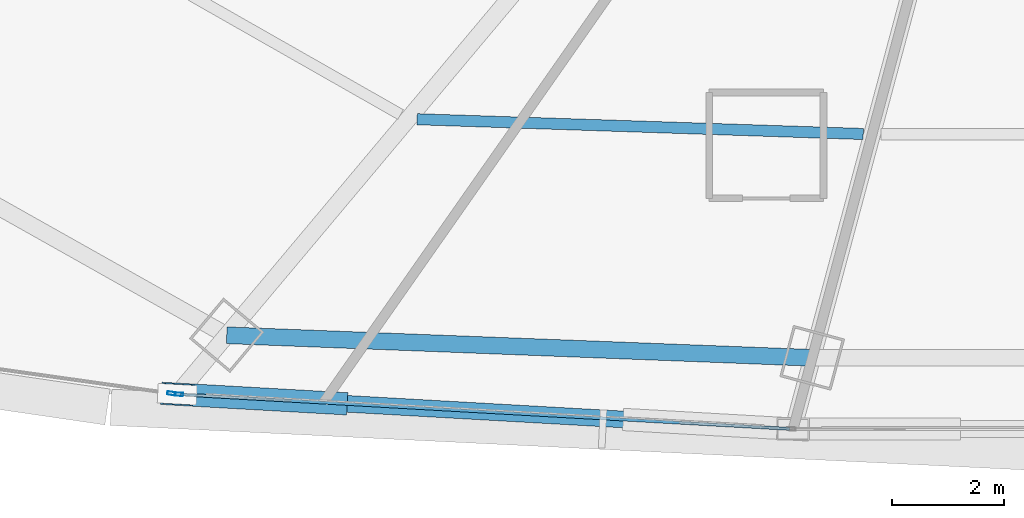
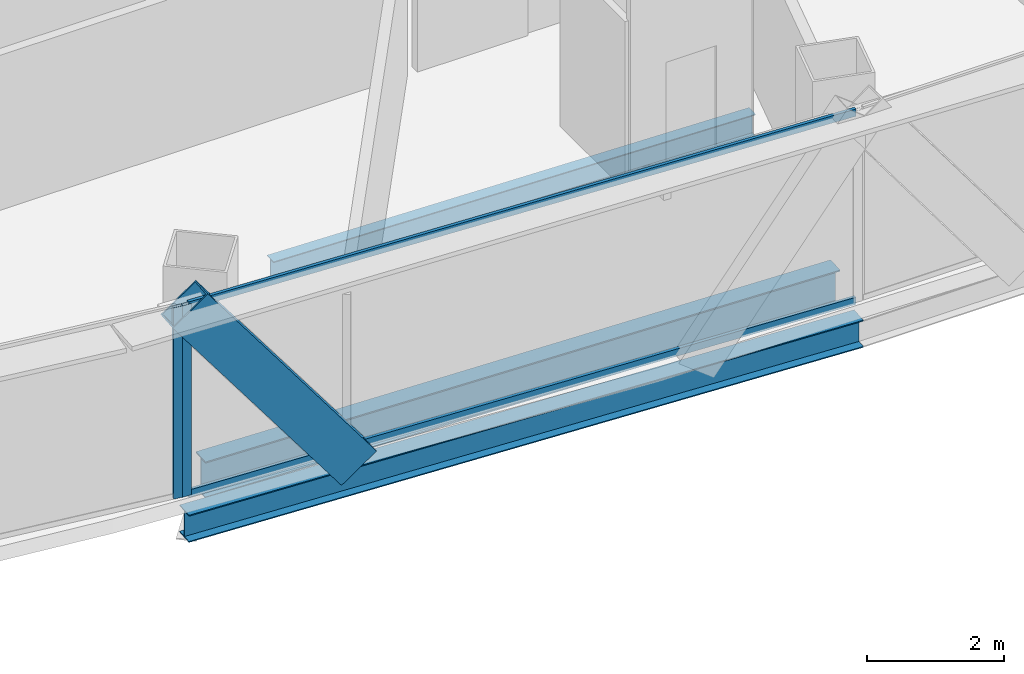
# One storey, part 6 of 41: 5 members, 3 beams, 2 elements without a shape of their own.
"""IFC4 building model written with IfcOpenShell, lengths in metres."""

from ifc_helpers import new_model, si_unit, direction, frame, origin, origin_2d, place, context, subcontext, project, spatial, hollow_rectangle, i_section, extrude, source, transform, mapped, material, layer, layer_set, material_profile, profile_set, type_object, element, aggregate, save


model = new_model("IFC4")

# Units and contexts
model_context = context("Model", 3, precision=1e-05, world=origin(), true_north=direction((0.0, 1.0)))
body_context = subcontext(model_context, "Body", "Model", "MODEL_VIEW")
ifc_project = project(units=[si_unit("LENGTHUNIT", "METRE"), si_unit("AREAUNIT", "SQUARE_METRE"), si_unit("VOLUMEUNIT", "CUBIC_METRE"), si_unit("PLANEANGLEUNIT", "RADIAN"), si_unit("MASSUNIT", "GRAM", prefix="KILO"), si_unit("THERMODYNAMICTEMPERATUREUNIT", "KELVIN"), si_unit("POWERUNIT", "WATT")], contexts=[model_context])

# Site, building, storey
site_placement = place(None, origin())
site = spatial("IfcSite", under=ifc_project, at=site_placement, CompositionType="ELEMENT")
building_placement = place(site_placement, origin())
building = spatial("IfcBuilding", under=site, at=building_placement, Name="Yunzhuo Pagoda Commons", CompositionType="ELEMENT")
storey_placement = place(building_placement, frame((0.0, 0.0, 155.590087890625)))
storey = spatial("IfcBuildingStorey", under=building, at=storey_placement, Name="L39", CompositionType="ELEMENT", Elevation=155.590087890625)

# Beams
ifc_material_1 = material(Name="Structural steel Q355B", Category="steel")
ifc_material_profile_1 = material_profile(ifc_material_1, i_section(OverallWidth=0.300048828125, OverallDepth=0.64990234375, WebThickness=0.012939453125, FlangeThickness=0.02197265625, at=origin_2d()), Name="Structural steel Q355B")
ifc_profile_set_1 = profile_set([ifc_material_profile_1], Name="Structural steel Q355B")
beam_type_1 = type_object("IfcBeamType", Name="B-RG2 Beam HN 650x300x13x22", PredefinedType="BEAM", material=ifc_profile_set_1)
shared_shape_1 = source(origin(), body_context, "Body", "SweptSolid", [
    extrude(i_section(OverallWidth=0.300048828125, OverallDepth=0.64990234375, WebThickness=0.012939453125, FlangeThickness=0.02197265625, at=origin_2d()), origin(), (0.0, 0.0, 1.0), 10.5078125),
])
beam_1_placement = place(storey_placement, frame((32.414794921875, 15.126220703125, -0.585205078125), z_axis=(0.999258632812, -0.03849915259, 0.0), x_axis=(0.03849915259, 0.999258632812, 0.0)))
element("IfcBeam", 1, at=beam_1_placement, inside=storey, type_object=beam_type_1, Name="L39 column-ring beam 1", PredefinedType="BEAM", context=body_context, shape_type="MappedRepresentation", body=[
    mapped(shared_shape_1, transform((0.0, 0.0, 0.0), scale=1.0)),
])
ifc_material_profile_2 = material_profile(ifc_material_1, i_section(OverallWidth=0.199951171875, OverallDepth=0.39990234375, WebThickness=0.008056640625, FlangeThickness=0.012939453125, at=origin_2d()), Name="Structural steel Q355B")
ifc_profile_set_2 = profile_set([ifc_material_profile_2], Name="Structural steel Q355B")
beam_type_2 = type_object("IfcBeamType", Name="B-JS1 Joist HN 400x200x8x13", PredefinedType="JOIST", material=ifc_profile_set_2)
shared_shape_2 = source(origin(), body_context, "Body", "SweptSolid", [
    extrude(i_section(OverallWidth=0.199951171875, OverallDepth=0.39990234375, WebThickness=0.008056640625, FlangeThickness=0.012939453125, at=origin_2d()), origin(), (0.0, 0.0, 1.0), 8.00537109375),
])
beam_2_placement = place(storey_placement, frame((35.8291015625, 19.00048828125, -0.460205078125), z_axis=(0.999453403952, -0.033058937199, 0.0), x_axis=(0.033058937199, 0.999453403952, 0.0)))
element("IfcBeam", 2, at=beam_2_placement, inside=storey, type_object=beam_type_2, Name="L39 composite ring joist 2.1", PredefinedType="JOIST", context=body_context, shape_type="MappedRepresentation", body=[
    mapped(shared_shape_2, transform((0.0, 0.0, 0.0), scale=1.0)),
])
ifc_material_profile_3 = material_profile(ifc_material_1, i_section(OverallWidth=0.300048828125, OverallDepth=0.488037109375, WebThickness=0.010986328125, FlangeThickness=0.01806640625, at=origin_2d()), Name="Structural steel Q355B")
ifc_profile_set_3 = profile_set([ifc_material_profile_3], Name="Structural steel Q355B")
beam_type_3 = type_object("IfcBeamType", Name="B-SP1 Beam HM 488x300x11x18", PredefinedType="BEAM", material=ifc_profile_set_3)
shared_shape_3 = source(origin(), body_context, "Body", "SweptSolid", [
    extrude(i_section(OverallWidth=0.300048828125, OverallDepth=0.488037109375, WebThickness=0.010986328125, FlangeThickness=0.01806640625, at=origin_2d()), origin(), (0.0, 0.0, 1.0), 11.06298828125),
])
beam_3_placement = place(storey_placement, frame((31.527099609375, 14.06884765625, -0.50390625), z_axis=(0.998402926244, -0.056494219778, 0.0), x_axis=(0.056494219778, 0.998402926244, 0.0)))
element("IfcBeam", 3, at=beam_3_placement, inside=storey, type_object=beam_type_3, Name="L39 facade edge spandrel beam F1.1", PredefinedType="BEAM", context=body_context, shape_type="MappedRepresentation", body=[
    mapped(shared_shape_3, transform((0.0, 0.0, 0.0), scale=1.0)),
])

# Member
ifc_material_profile_4 = material_profile(ifc_material_1, hollow_rectangle(XDim=0.39990234375, YDim=0.719970703125, WallThickness=0.02392578125, at=origin_2d()), Name="Structural steel Q355B")
ifc_profile_set_4 = profile_set([ifc_material_profile_4], Name="Structural steel Q355B")
member_type_1 = type_object("IfcMemberType", Name="M-DL2 Brace BOX 720x400x24", PredefinedType="BRACE", material=ifc_profile_set_4)
shared_shape_4 = source(origin(), body_context, "Body", "SweptSolid", [
    extrude(hollow_rectangle(XDim=0.39990234375, YDim=0.719970703125, WallThickness=0.02392578125, at=origin_2d()), origin(), (0.0, 0.0, 1.0), 4.603515625),
])
member_1_placement = place(storey_placement, frame((34.28857421875, 13.91259765625, -0.260009765625), z_axis=(-0.59986640331, 0.03394169376, 0.799379921942), x_axis=(-0.056491730434, -0.998403067099, 0.0)))
element("IfcMember", 4, at=member_1_placement, inside=storey, type_object=member_type_1, Name="L39 facade diamond brace F1.1L", PredefinedType="BRACE", context=body_context, shape_type="MappedRepresentation", body=[
    mapped(shared_shape_4, transform((0.0, 0.0, 0.0), scale=1.0)),
])

# Curtain wall, member
ifc_material_2 = material(Name="Anodized aluminium 6063-T6", Category="aluminium")
ifc_layer = layer(ifc_material_2, 0.14990234375)
ifc_layer_set = layer_set([ifc_layer], Name="Anodized aluminium 6063-T6")
curtain_wall_type = type_object("IfcCurtainWallType", Name="CW-MID Mid-Zone Ribbon Curtain Wall", PredefinedType="NOTDEFINED", material=ifc_layer_set)
curtain_wall_1_placement = place(storey_placement, origin())
curtain_wall_1 = element("IfcCurtainWall", 5, at=curtain_wall_1_placement, inside=storey, type_object=curtain_wall_type, Name="L39 curtain wall CW-L39-F1B2", PredefinedType="NOTDEFINED")
ifc_material_profile_5 = material_profile(ifc_material_2, hollow_rectangle(XDim=0.06005859375, YDim=0.14990234375, WallThickness=0.00390625, at=origin_2d()), Name="Anodized aluminium 6063-T6")
ifc_profile_set_5 = profile_set([ifc_material_profile_5], Name="Anodized aluminium 6063-T6")
member_type_2 = type_object("IfcMemberType", Name="CW-MID-M Mullion RHS 150x60x4", PredefinedType="MULLION", material=ifc_profile_set_5)
shared_shape_5 = source(origin(), body_context, "Body", "SweptSolid", [
    extrude(hollow_rectangle(XDim=0.06005859375, YDim=0.14990234375, WallThickness=0.00390625, at=origin_2d()), origin(), (0.0, 0.0, 1.0), 3.419921875),
])
member_2_placement = place(storey_placement, frame((31.55712890625, 14.067138671875, 0.0), z_axis=(0.0, 0.0, 1.0), x_axis=(0.056459249567, 0.998404904404, 0.0)))
member_2 = element("IfcMember", 6, at=member_2_placement, type_object=member_type_2, Name="CW mullion 1", PredefinedType="MULLION", context=body_context, shape_type="MappedRepresentation", body=[
    mapped(shared_shape_5, transform((0.0, 0.0, 0.0), scale=1.0)),
])

curtain_wall_2_placement = place(storey_placement, origin())
curtain_wall_2 = element("IfcCurtainWall", 7, at=curtain_wall_2_placement, inside=storey, type_object=curtain_wall_type, Name="L39 curtain wall CW-L39-F1B1", PredefinedType="NOTDEFINED")
member_3_placement = place(storey_placement, frame((31.423095703125, 14.083251953125, 0.0), z_axis=(0.0, 0.0, 1.0), x_axis=(0.13962976996, 0.990203780714, 0.0)))
member_3 = element("IfcMember", 8, at=member_3_placement, type_object=member_type_2, Name="CW mullion 2", PredefinedType="MULLION", context=body_context, shape_type="MappedRepresentation", body=[
    mapped(shared_shape_5, transform((0.0, 0.0, 0.0), scale=1.0)),
])
aggregate(curtain_wall_2, [member_3])

# Member
ifc_material_profile_6 = material_profile(ifc_material_2, hollow_rectangle(XDim=0.054931640625, YDim=0.1298828125, WallThickness=0.00341796875, at=origin_2d()), Name="Anodized aluminium 6063-T6")
ifc_profile_set_6 = profile_set([ifc_material_profile_6], Name="Anodized aluminium 6063-T6")
member_type_3 = type_object("IfcMemberType", Name="CW-MID-T Transom RHS 130x55x3.5", PredefinedType="USERDEFINED", material=ifc_profile_set_6)
shared_shape_6 = source(origin(), body_context, "Body", "SweptSolid", [
    extrude(hollow_rectangle(XDim=0.054931640625, YDim=0.1298828125, WallThickness=0.00341796875, at=origin_2d()), origin(), (0.0, 0.0, 1.0), 10.94287109375),
])
member_4_placement = place(storey_placement, frame((31.587158203125, 14.0654296875, 0.02734375), z_axis=(0.998403128064, -0.056490652967, 0.0), x_axis=(0.056490652967, 0.998403128064, 0.0)))
member_4 = element("IfcMember", 9, at=member_4_placement, type_object=member_type_3, Name="CW transom 1.1", ObjectType="TRANSOM", PredefinedType="USERDEFINED", context=body_context, shape_type="MappedRepresentation", body=[
    mapped(shared_shape_6, transform((0.0, 0.0, 0.0), scale=1.0)),
])

member_5_placement = place(storey_placement, frame((31.587158203125, 14.0654296875, 3.392333984375), z_axis=(0.998403128064, -0.056490652967, 0.0), x_axis=(0.056490652967, 0.998403128064, 0.0)))
member_5 = element("IfcMember", 10, at=member_5_placement, type_object=member_type_3, Name="CW transom 1.2", ObjectType="TRANSOM", PredefinedType="USERDEFINED", context=body_context, shape_type="MappedRepresentation", body=[
    mapped(shared_shape_6, transform((0.0, 0.0, 0.0), scale=1.0)),
])

aggregate(curtain_wall_1, [member_2, member_4, member_5])

save(model, "model.ifc")
